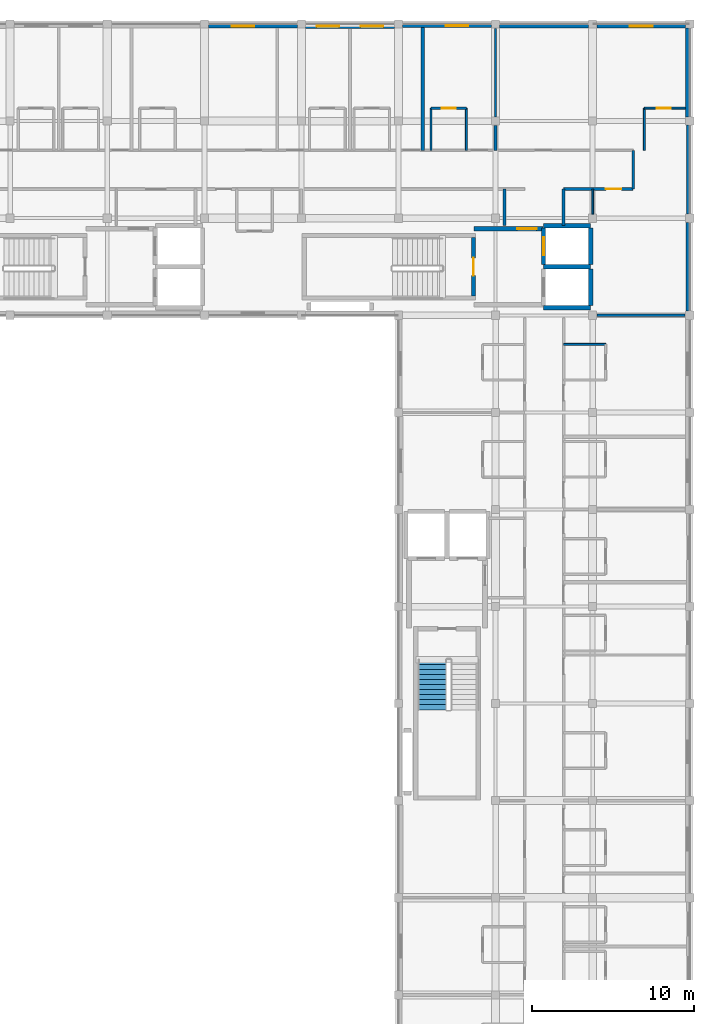
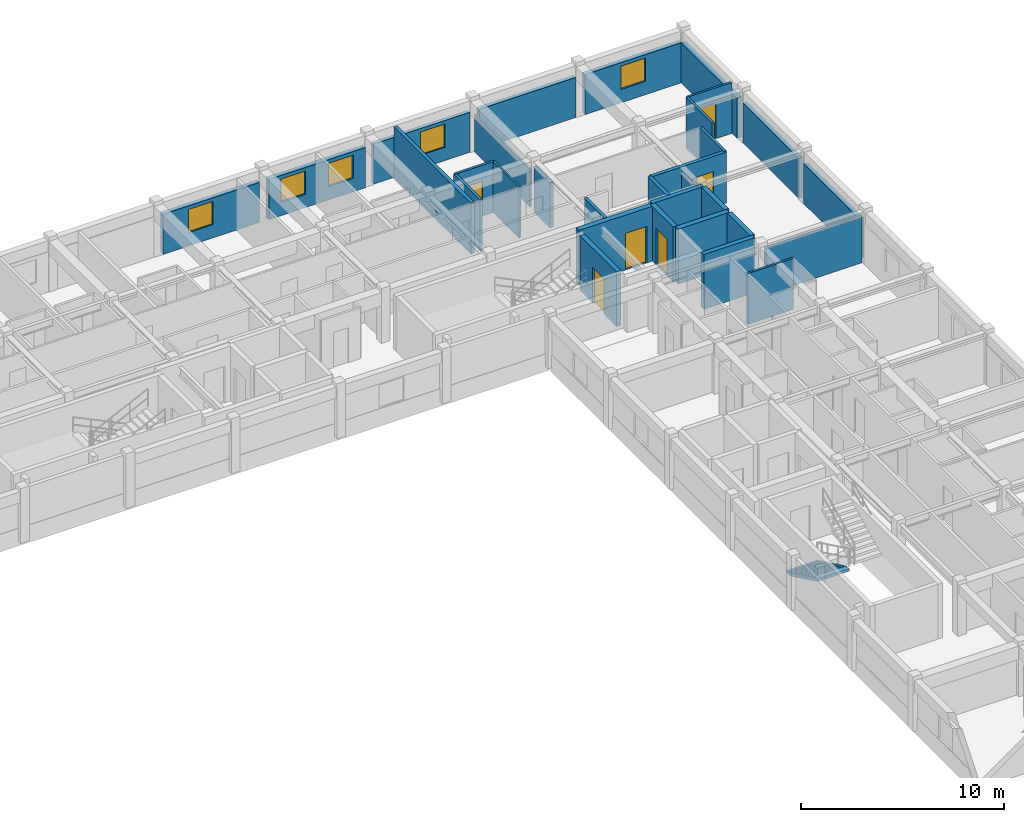
# One storey, part 10 of 15: 31 walls, 6 doors, 5 windows, 1 stair flight, 11 openings, 1 element without a shape of its own.
"""IFC4 building model written with IfcOpenShell, lengths in metres."""

from ifc_helpers import new_model, si_unit, direction, frame, frame_2d, origin, place, context, subcontext, project, spatial, polyline, rectangle, outline, extrude, material, layer, layer_set, type_object, element, fill, aggregate, save


model = new_model("IFC4")

# Units and contexts
model_context = context("Model", 3, precision=1e-05, world=origin(), true_north=direction((0.0, 1.0)))
body_context = subcontext(model_context, "Body", "Model", "MODEL_VIEW")
ifc_project = project(units=[si_unit("LENGTHUNIT", "METRE"), si_unit("AREAUNIT", "SQUARE_METRE"), si_unit("VOLUMEUNIT", "CUBIC_METRE"), si_unit("PLANEANGLEUNIT", "RADIAN"), si_unit("MASSUNIT", "GRAM", prefix="KILO"), si_unit("THERMODYNAMICTEMPERATUREUNIT", "KELVIN"), si_unit("POWERUNIT", "WATT")], contexts=[model_context])

# Site, building, storey
site_placement = place(None, origin())
site = spatial("IfcSite", under=ifc_project, at=site_placement, CompositionType="ELEMENT")
building_placement = place(site_placement, origin())
building = spatial("IfcBuilding", under=site, at=building_placement, Name="Phaisarnlok Congress Hotel", CompositionType="ELEMENT")
storey_placement = place(building_placement, frame((0.0, 0.0, 38.10009765625)))
storey = spatial("IfcBuildingStorey", under=building, at=storey_placement, Name="L09", CompositionType="ELEMENT", Elevation=38.10009765625)

# Wall
ifc_material_1 = material(Name="Concrete C40/50", Category="concrete")
ifc_layer_1 = layer(ifc_material_1, 0.2099609375, Name="Concrete C40/50")
ifc_layer_set_1 = layer_set([ifc_layer_1], Name="Concrete C40/50")
wall_type_1 = type_object("IfcWallType", Name="WL-EXT-210", PredefinedType="SOLIDWALL", material=ifc_layer_set_1)
wall_1_placement = place(storey_placement, frame((179.89501953125, 114.2548828125, 0.0), z_axis=(0.0, 0.0, 1.0), x_axis=(0.0, 1.0, 0.0)))
element("IfcWall", 1, at=wall_1_placement, inside=storey, type_object=wall_type_1, Name="Exterior wall EW-07 (L09)", PredefinedType="SOLIDWALL", context=body_context, shape_type="SweptSolid", body=[
    extrude(rectangle(XDim=5.490234375, YDim=0.2099609375, at=frame_2d((2.7451171875, 0.0))), origin(), (0.0, 0.0, 1.0), 2.409912109375),
])

# Wall, opening, window
wall_2_placement = place(storey_placement, frame((167.7451171875, 125.89501953125, 0.0), z_axis=(0.0, 0.0, 1.0), x_axis=(-1.0, 0.0, 0.0)))
wall_2 = element("IfcWall", 2, at=wall_2_placement, inside=storey, type_object=wall_type_1, Name="Exterior wall EW-07 (L09)", PredefinedType="SOLIDWALL", context=body_context, shape_type="SweptSolid", body=[
    extrude(rectangle(XDim=5.490234375, YDim=0.2099609375, at=frame_2d((2.7451171875, 0.0))), origin(), (0.0, 0.0, 1.0), 2.409912109375),
])
opening_1_placement = place(wall_2_placement, frame((1.431884765625, 0.0, 0.800048828125)))
opening_1 = element("IfcOpeningElement", 3, at=opening_1_placement, cuts=wall_2, Name="Opening W-13", PredefinedType="OPENING", context=body_context, shape_type="SweptSolid", body=[
    extrude(rectangle(XDim=1.39990234375, YDim=1.39990234375, at=frame_2d((0.699951171875, 0.699951171875))), frame((0.0, 0.114990234375, 0.0), z_axis=(0.0, -1.0, 0.0), x_axis=(1.0, 0.0, 0.0)), (0.0, 0.0, 1.0), 0.22998046875),
])
ifc_material_2 = material(Name="Thermally Broken Aluminium & Low-E Double Glazing", Category="aluminium")
window_type = type_object("IfcWindowType", Name="WIN-POD-1400", PartitioningType="SINGLE_PANEL", PredefinedType="WINDOW", material=ifc_material_2)
window_1_placement = place(opening_1_placement, origin())
window_1 = element("IfcWindow", 4, at=window_1_placement, inside=storey, type_object=window_type, Name="Guestroom window W-13 (L09)", OverallHeight=1.39990234375, OverallWidth=1.39990234375, PartitioningType="SINGLE_PANEL", PredefinedType="WINDOW", context=body_context, shape_type="SweptSolid", body=[
    extrude(rectangle(XDim=1.39990234375, YDim=1.39990234375, at=frame_2d((0.699951171875, 0.699951171875))), frame((0.0, 0.030029296875, 0.0), z_axis=(0.0, -1.0, 0.0), x_axis=(1.0, 0.0, 0.0)), (0.0, 0.0, 1.0), 0.06005859375),
])
fill(opening_1, window_1)

# Walls
ifc_layer_2 = layer(ifc_material_1, 0.22998046875, Name="Concrete C40/50")
ifc_layer_set_2 = layer_set([ifc_layer_2], Name="Concrete C40/50")
wall_type_2 = type_object("IfcWallType", Name="WL-EXT-230", PredefinedType="SOLIDWALL", material=ifc_layer_set_2)
for number, where, z_axis, x_axis, name in (
    (5, (179.885009765625, 108.2548828125, 0.0), (0.0, 0.0, 1.0), (0.0, 1.0, 0.0), "Exterior wall EW-06 (L09)"),
    (6, (173.7451171875, 125.885009765625, 0.0), (0.0, 0.0, 1.0), (-1.0, 0.0, 0.0), "Exterior wall EW-06 (L09)"),
):
    element("IfcWall", number, at=place(storey_placement, frame(where, z_axis=z_axis, x_axis=x_axis)), inside=storey, type_object=wall_type_2, Name=name, PredefinedType="SOLIDWALL", context=body_context, shape_type="SweptSolid", body=[
        extrude(rectangle(XDim=5.490234375, YDim=0.22998046875, at=frame_2d((2.7451171875, 0.0))), origin(), (0.0, 0.0, 1.0), 2.409912109375),
    ])

# Wall, opening, window
ifc_layer_3 = layer(ifc_material_1, 0.25, Name="Concrete C40/50")
ifc_layer_set_3 = layer_set([ifc_layer_3], Name="Concrete C40/50")
wall_type_3 = type_object("IfcWallType", Name="WL-EXT-250", PredefinedType="SOLIDWALL", material=ifc_layer_set_3)
wall_3_placement = place(storey_placement, frame((179.7451171875, 125.875, 0.0), z_axis=(0.0, 0.0, 1.0), x_axis=(-1.0, 0.0, 0.0)))
wall_3 = element("IfcWall", 7, at=wall_3_placement, inside=storey, type_object=wall_type_3, Name="Exterior wall EW-05 (L09)", PredefinedType="SOLIDWALL", context=body_context, shape_type="SweptSolid", body=[
    extrude(rectangle(XDim=5.490234375, YDim=0.25, at=frame_2d((2.7451171875, 0.0))), origin(), (0.0, 0.0, 1.0), 2.409912109375),
])
opening_2_placement = place(wall_3_placement, frame((2.044921875, 0.0, 0.800048828125)))
opening_2 = element("IfcOpeningElement", 8, at=opening_2_placement, cuts=wall_3, Name="Opening W-13", PredefinedType="OPENING", context=body_context, shape_type="SweptSolid", body=[
    extrude(rectangle(XDim=1.39990234375, YDim=1.39990234375, at=frame_2d((0.699951171875, 0.699951171875))), frame((0.0, 0.135009765625, 0.0), z_axis=(0.0, -1.0, 0.0), x_axis=(1.0, 0.0, 0.0)), (0.0, 0.0, 1.0), 0.27001953125),
])
window_2_placement = place(opening_2_placement, origin())
window_2 = element("IfcWindow", 9, at=window_2_placement, inside=storey, type_object=window_type, Name="Guestroom window W-13 (L09)", OverallHeight=1.39990234375, OverallWidth=1.39990234375, PartitioningType="SINGLE_PANEL", PredefinedType="WINDOW", context=body_context, shape_type="SweptSolid", body=[
    extrude(rectangle(XDim=1.39990234375, YDim=1.39990234375, at=frame_2d((0.699951171875, 0.699951171875))), frame((0.0, 0.030029296875, 0.0), z_axis=(0.0, -1.0, 0.0), x_axis=(1.0, 0.0, 0.0)), (0.0, 0.0, 1.0), 0.06005859375),
])
fill(opening_2, window_2)

wall_4_placement = place(storey_placement, frame((155.7451171875, 125.875, 0.0), z_axis=(0.0, 0.0, 1.0), x_axis=(-1.0, 0.0, 0.0)))
wall_4 = element("IfcWall", 10, at=wall_4_placement, inside=storey, type_object=wall_type_3, Name="Exterior wall EW-05 (L09)", PredefinedType="SOLIDWALL", context=body_context, shape_type="SweptSolid", body=[
    extrude(rectangle(XDim=5.490234375, YDim=0.25, at=frame_2d((2.7451171875, 0.0))), origin(), (0.0, 0.0, 1.0), 2.409912109375),
])
opening_3_placement = place(wall_4_placement, frame((2.657958984375, 0.0, 0.800048828125)))
opening_3 = element("IfcOpeningElement", 11, at=opening_3_placement, cuts=wall_4, Name="Opening W-13", PredefinedType="OPENING", context=body_context, shape_type="SweptSolid", body=[
    extrude(rectangle(XDim=1.39990234375, YDim=1.39990234375, at=frame_2d((0.699951171875, 0.699951171875))), frame((0.0, 0.135009765625, 0.0), z_axis=(0.0, -1.0, 0.0), x_axis=(1.0, 0.0, 0.0)), (0.0, 0.0, 1.0), 0.27001953125),
])
window_3_placement = place(opening_3_placement, origin())
window_3 = element("IfcWindow", 12, at=window_3_placement, inside=storey, type_object=window_type, Name="Guestroom window W-13 (L09)", OverallHeight=1.39990234375, OverallWidth=1.39990234375, PartitioningType="SINGLE_PANEL", PredefinedType="WINDOW", context=body_context, shape_type="SweptSolid", body=[
    extrude(rectangle(XDim=1.39990234375, YDim=1.39990234375, at=frame_2d((0.699951171875, 0.699951171875))), frame((0.0, 0.030029296875, 0.0), z_axis=(0.0, -1.0, 0.0), x_axis=(1.0, 0.0, 0.0)), (0.0, 0.0, 1.0), 0.06005859375),
])
fill(opening_3, window_3)

# Wall
ifc_layer_4 = layer(ifc_material_1, 0.27001953125, Name="Concrete C40/50")
ifc_layer_set_4 = layer_set([ifc_layer_4], Name="Concrete C40/50")
wall_type_4 = type_object("IfcWallType", Name="WL-EXT-270", PredefinedType="SOLIDWALL", material=ifc_layer_set_4)
wall_5_placement = place(storey_placement, frame((179.864990234375, 120.2548828125, 0.0), z_axis=(0.0, 0.0, 1.0), x_axis=(0.0, 1.0, 0.0)))
element("IfcWall", 13, at=wall_5_placement, inside=storey, type_object=wall_type_4, Name="Exterior wall EW-04 (L09)", PredefinedType="SOLIDWALL", context=body_context, shape_type="SweptSolid", body=[
    extrude(rectangle(XDim=5.490234375, YDim=0.27001953125, at=frame_2d((2.7451171875, 0.0))), origin(), (0.0, 0.0, 1.0), 2.409912109375),
])

# Wall, openings, windows
wall_6_placement = place(storey_placement, frame((161.7451171875, 125.864990234375, 0.0), z_axis=(0.0, 0.0, 1.0), x_axis=(-1.0, 0.0, 0.0)))
wall_6 = element("IfcWall", 14, at=wall_6_placement, inside=storey, type_object=wall_type_4, Name="Exterior wall EW-04 (L09)", PredefinedType="SOLIDWALL", context=body_context, shape_type="SweptSolid", body=[
    extrude(rectangle(XDim=5.490234375, YDim=0.27001953125, at=frame_2d((2.7451171875, 0.0))), origin(), (0.0, 0.0, 1.0), 2.409912109375),
])
opening_4_placement = place(wall_6_placement, frame((3.407958984375, 0.0, 0.800048828125)))
opening_4 = element("IfcOpeningElement", 15, at=opening_4_placement, cuts=wall_6, Name="Opening W-13", PredefinedType="OPENING", context=body_context, shape_type="SweptSolid", body=[
    extrude(rectangle(XDim=1.39990234375, YDim=1.39990234375, at=frame_2d((0.699951171875, 0.699951171875))), frame((0.0, 0.14501953125, 0.0), z_axis=(0.0, -1.0, 0.0), x_axis=(1.0, 0.0, 0.0)), (0.0, 0.0, 1.0), 0.2900390625),
])
opening_5_placement = place(wall_6_placement, frame((0.681884765625, 0.0, 0.800048828125)))
opening_5 = element("IfcOpeningElement", 16, at=opening_5_placement, cuts=wall_6, Name="Opening W-13", PredefinedType="OPENING", context=body_context, shape_type="SweptSolid", body=[
    extrude(rectangle(XDim=1.39990234375, YDim=1.39990234375, at=frame_2d((0.699951171875, 0.699951171875))), frame((0.0, 0.14501953125, 0.0), z_axis=(0.0, -1.0, 0.0), x_axis=(1.0, 0.0, 0.0)), (0.0, 0.0, 1.0), 0.2900390625),
])
window_4_placement = place(opening_4_placement, origin())
window_4 = element("IfcWindow", 17, at=window_4_placement, inside=storey, type_object=window_type, Name="Guestroom window W-13 (L09)", OverallHeight=1.39990234375, OverallWidth=1.39990234375, PartitioningType="SINGLE_PANEL", PredefinedType="WINDOW", context=body_context, shape_type="SweptSolid", body=[
    extrude(rectangle(XDim=1.39990234375, YDim=1.39990234375, at=frame_2d((0.699951171875, 0.699951171875))), frame((0.0, 0.030029296875, 0.0), z_axis=(0.0, -1.0, 0.0), x_axis=(1.0, 0.0, 0.0)), (0.0, 0.0, 1.0), 0.06005859375),
])
fill(opening_4, window_4)
window_5_placement = place(opening_5_placement, origin())
window_5 = element("IfcWindow", 18, at=window_5_placement, inside=storey, type_object=window_type, Name="Guestroom window W-13 (L09)", OverallHeight=1.39990234375, OverallWidth=1.39990234375, PartitioningType="SINGLE_PANEL", PredefinedType="WINDOW", context=body_context, shape_type="SweptSolid", body=[
    extrude(rectangle(XDim=1.39990234375, YDim=1.39990234375, at=frame_2d((0.699951171875, 0.699951171875))), frame((0.0, 0.030029296875, 0.0), z_axis=(0.0, -1.0, 0.0), x_axis=(1.0, 0.0, 0.0)), (0.0, 0.0, 1.0), 0.06005859375),
])
fill(opening_5, window_5)

# Walls
ifc_material_3 = material(Name="Service Riser Shaftwall Partition", Category="gypsum")
ifc_layer_5 = layer(ifc_material_3, 0.10498046875, Name="Service Riser Shaftwall Partition")
ifc_layer_set_5 = layer_set([ifc_layer_5], Name="Service Riser Shaftwall Partition")
wall_type_5 = type_object("IfcWallType", Name="WL-INT-105", PredefinedType="PARTITIONING", material=ifc_layer_set_5)
wall_7_placement = place(storey_placement, frame((168.0, 120.2548828125, 0.0), z_axis=(0.0, 0.0, 1.0), x_axis=(0.0, 1.0, 0.0)))
element("IfcWall", 19, at=wall_7_placement, inside=storey, type_object=wall_type_5, Name="Interior partition wall IW-08 (L09)", PredefinedType="PARTITIONING", context=body_context, shape_type="SweptSolid", body=[
    extrude(rectangle(XDim=5.465087890625, YDim=0.10498046875, at=frame_2d((2.732421875, 0.0))), origin(), (0.0, 0.0, 1.0), 2.260009765625),
])
wall_8_placement = place(storey_placement, frame((174.0, 114.2548828125, 0.0), z_axis=(0.0, 0.0, 1.0), x_axis=(0.0, 1.0, 0.0)))
element("IfcWall", 20, at=wall_8_placement, inside=storey, type_object=wall_type_5, Name="Interior partition wall IW-08 (L09)", PredefinedType="PARTITIONING", context=body_context, shape_type="SweptSolid", body=[
    extrude(rectangle(XDim=1.545166015625, YDim=0.10498046875, at=frame_2d((0.7724609375, 0.0))), origin(), (0.0, 0.0, 1.0), 2.719970703125),
])
ifc_material_4 = material(Name="Lightweight Metal-Stud Gypsum Partition", Category="gypsum")
ifc_layer_6 = layer(ifc_material_4, 0.1201171875, Name="Lightweight Metal-Stud Gypsum Partition")
ifc_layer_set_6 = layer_set([ifc_layer_6], Name="Lightweight Metal-Stud Gypsum Partition")
wall_type_6 = type_object("IfcWallType", Name="WL-INT-120", PredefinedType="PARTITIONING", material=ifc_layer_set_6)
for number, where, z_axis, x_axis, name in (
    (21, (166.199951171875, 118.199951171875, 0.0), (0.0, 0.0, 1.0), (0.0, 1.0, 0.0), "Interior partition wall IW-07 (L09)"),
    (22, (177.199951171875, 118.199951171875, 0.0), (0.0, 0.0, 1.0), (0.0, 1.0, 0.0), "Interior partition wall IW-07 (L09)"),
    (23, (172.199951171875, 106.199951171875, 0.0), (0.0, 0.0, 1.0), (1.0, 0.0, 0.0), "Interior partition wall IW-07 (L09)"),
):
    element("IfcWall", number, at=place(storey_placement, frame(where, z_axis=z_axis, x_axis=x_axis)), inside=storey, type_object=wall_type_6, Name=name, PredefinedType="PARTITIONING", context=body_context, shape_type="SweptSolid", body=[
        extrude(rectangle(XDim=2.60009765625, YDim=0.1201171875, at=frame_2d((1.300048828125, 0.0))), origin(), (0.0, 0.0, 1.0), 3.059814453125),
    ])

# Wall, opening, door
wall_9_placement = place(storey_placement, frame((177.199951171875, 120.800048828125, 0.0), z_axis=(0.0, 0.0, 1.0), x_axis=(1.0, 0.0, 0.0)))
wall_9 = element("IfcWall", 24, at=wall_9_placement, inside=storey, type_object=wall_type_6, Name="Interior partition wall IW-07 (L09)", PredefinedType="PARTITIONING", context=body_context, shape_type="SweptSolid", body=[
    extrude(rectangle(XDim=2.525146484375, YDim=0.1201171875, at=frame_2d((1.2626953125, 0.0))), origin(), (0.0, 0.0, 1.0), 3.059814453125),
])
opening_6_placement = place(wall_9_placement, frame((0.77490234375, 0.0, 0.0)))
opening_6 = element("IfcOpeningElement", 25, at=opening_6_placement, cuts=wall_9, Name="Opening D-0512", PredefinedType="OPENING", context=body_context, shape_type="SweptSolid", body=[
    extrude(rectangle(XDim=0.85009765625, YDim=2.10009765625, at=frame_2d((0.425048828125, 1.050048828125))), frame((0.0, 0.070068359375, 0.0), z_axis=(0.0, -1.0, 0.0), x_axis=(1.0, 0.0, 0.0)), (0.0, 0.0, 1.0), 0.14013671875),
])
ifc_material_5 = material(Name="Moisture-Resistant Lacquered Timber", Category="wood")
door_type_1 = type_object("IfcDoorType", Name="DR-BATH-850", OperationType="NOTDEFINED", PredefinedType="DOOR", material=ifc_material_5)
door_1_placement = place(opening_6_placement, origin())
door_1 = element("IfcDoor", 26, at=door_1_placement, inside=storey, type_object=door_type_1, Name="Interior door D-0512 (L09)", OperationType="SINGLE_SWING_LEFT", OverallHeight=2.10009765625, OverallWidth=0.85009765625, PredefinedType="DOOR", context=body_context, shape_type="SweptSolid", body=[
    extrude(rectangle(XDim=0.85009765625, YDim=2.10009765625, at=frame_2d((0.425048828125, 1.050048828125))), frame((0.0, 0.02490234375, 0.0), z_axis=(0.0, -1.0, 0.0), x_axis=(1.0, 0.0, 0.0)), (0.0, 0.0, 1.0), 0.050048828125),
])
fill(opening_6, door_1)

# Wall
ifc_material_6 = material(Name="Moisture-Resistant Gypsum Partition", Category="gypsum")
ifc_layer_7 = layer(ifc_material_6, 0.135009765625, Name="Moisture-Resistant Gypsum Partition")
ifc_layer_set_7 = layer_set([ifc_layer_7], Name="Moisture-Resistant Gypsum Partition")
wall_type_7 = type_object("IfcWallType", Name="WL-INT-135", PredefinedType="PARTITIONING", material=ifc_layer_set_7)
wall_10_placement = place(storey_placement, frame((164.0, 118.199951171875, 0.0), z_axis=(0.0, 0.0, 1.0), x_axis=(0.0, 1.0, 0.0)))
element("IfcWall", 27, at=wall_10_placement, inside=storey, type_object=wall_type_7, Name="Interior partition wall IW-06 (L09)", PredefinedType="PARTITIONING", context=body_context, shape_type="SweptSolid", body=[
    extrude(rectangle(XDim=2.60009765625, YDim=0.135009765625, at=frame_2d((1.300048828125, 0.0))), origin(), (0.0, 0.0, 1.0), 3.059814453125),
])

# Wall, opening, door
wall_11_placement = place(storey_placement, frame((164.0, 120.800048828125, 0.0), z_axis=(0.0, 0.0, 1.0), x_axis=(1.0, 0.0, 0.0)))
wall_11 = element("IfcWall", 28, at=wall_11_placement, inside=storey, type_object=wall_type_7, Name="Interior partition wall IW-06 (L09)", PredefinedType="PARTITIONING", context=body_context, shape_type="SweptSolid", body=[
    extrude(rectangle(XDim=2.199951171875, YDim=0.135009765625, at=frame_2d((1.10009765625, 0.0))), origin(), (0.0, 0.0, 1.0), 3.059814453125),
])
opening_7_placement = place(wall_11_placement, frame((0.675048828125, 0.0, 0.0)))
opening_7 = element("IfcOpeningElement", 29, at=opening_7_placement, cuts=wall_11, Name="Opening D-0510", PredefinedType="OPENING", context=body_context, shape_type="SweptSolid", body=[
    extrude(rectangle(XDim=0.85009765625, YDim=2.10009765625, at=frame_2d((0.425048828125, 1.050048828125))), frame((0.0, 0.07763671875, 0.0), z_axis=(0.0, -1.0, 0.0), x_axis=(1.0, 0.0, 0.0)), (0.0, 0.0, 1.0), 0.155029296875),
])
door_2_placement = place(opening_7_placement, origin())
door_2 = element("IfcDoor", 30, at=door_2_placement, inside=storey, type_object=door_type_1, Name="Interior door D-0510 (L09)", OperationType="SINGLE_SWING_LEFT", OverallHeight=2.10009765625, OverallWidth=0.85009765625, PredefinedType="DOOR", context=body_context, shape_type="SweptSolid", body=[
    extrude(rectangle(XDim=0.85009765625, YDim=2.10009765625, at=frame_2d((0.425048828125, 1.050048828125))), frame((0.0, 0.02490234375, 0.0), z_axis=(0.0, -1.0, 0.0), x_axis=(1.0, 0.0, 0.0)), (0.0, 0.0, 1.0), 0.050048828125),
])
fill(opening_7, door_2)

# Walls
ifc_material_7 = material(Name="Acoustic Gypsum Board & Mineral Wool", Category="gypsum")
ifc_layer_8 = layer(ifc_material_7, 0.14990234375, Name="Acoustic Gypsum Board & Mineral Wool")
ifc_layer_set_8 = layer_set([ifc_layer_8], Name="Acoustic Gypsum Board & Mineral Wool")
wall_type_8 = type_object("IfcWallType", Name="WL-INT-150", PredefinedType="PARTITIONING", material=ifc_layer_set_8)
wall_12_placement = place(storey_placement, frame((176.5, 115.800048828125, 0.0), z_axis=(0.0, 0.0, 1.0), x_axis=(0.0, 1.0, 0.0)))
element("IfcWall", 31, at=wall_12_placement, inside=storey, type_object=wall_type_8, Name="Interior partition wall IW-05 (L09)", PredefinedType="PARTITIONING", context=body_context, shape_type="SweptSolid", body=[
    extrude(rectangle(XDim=2.39990234375, YDim=0.14990234375, at=frame_2d((1.199951171875, 0.0))), origin(), (0.0, 0.0, 1.0), 3.059814453125),
])
ifc_material_8 = material(Name="Autoclaved Aerated Concrete Block", Category="concrete")
ifc_layer_9 = layer(ifc_material_8, 0.179931640625, Name="Autoclaved Aerated Concrete Block")
ifc_layer_set_9 = layer_set([ifc_layer_9], Name="Autoclaved Aerated Concrete Block")
wall_type_9 = type_object("IfcWallType", Name="WL-INT-180", PredefinedType="PARTITIONING", material=ifc_layer_set_9)
wall_13_placement = place(storey_placement, frame((168.550048828125, 113.56005859375, 0.0), z_axis=(0.0, 0.0, 1.0), x_axis=(0.0, 1.0, 0.0)))
element("IfcWall", 32, at=wall_13_placement, inside=storey, type_object=wall_type_9, Name="Interior partition wall IW-03 (L09)", PredefinedType="PARTITIONING", context=body_context, shape_type="SweptSolid", body=[
    extrude(rectangle(XDim=2.239990234375, YDim=0.179931640625, at=frame_2d((1.1201171875, 0.0))), origin(), (0.0, 0.0, 1.0), 3.059814453125),
])
wall_14_placement = place(storey_placement, frame((174.2548828125, 108.0, 0.0), z_axis=(0.0, 0.0, 1.0), x_axis=(1.0, 0.0, 0.0)))
element("IfcWall", 33, at=wall_14_placement, inside=storey, type_object=wall_type_9, Name="Interior partition wall IW-03 (L09)", PredefinedType="PARTITIONING", context=body_context, shape_type="SweptSolid", body=[
    extrude(rectangle(XDim=5.465087890625, YDim=0.179931640625, at=frame_2d((2.732421875, 0.0))), origin(), (0.0, 0.0, 1.0), 2.77001953125),
])
ifc_layer_10 = layer(ifc_material_8, 0.199951171875, Name="Autoclaved Aerated Concrete Block")
ifc_layer_set_10 = layer_set([ifc_layer_10], Name="Autoclaved Aerated Concrete Block")
wall_type_10 = type_object("IfcWallType", Name="WL-INT-200", PredefinedType="PARTITIONING", material=ifc_layer_set_10)
wall_15_placement = place(storey_placement, frame((163.5, 118.199951171875, 0.0), z_axis=(0.0, 0.0, 1.0), x_axis=(0.0, 1.0, 0.0)))
element("IfcWall", 34, at=wall_15_placement, inside=storey, type_object=wall_type_10, Name="Interior partition wall IW-02 (L09)", PredefinedType="PARTITIONING", context=body_context, shape_type="SweptSolid", body=[
    extrude(rectangle(XDim=7.5849609375, YDim=0.199951171875, at=frame_2d((3.79248046875, 0.0))), origin(), (0.0, 0.0, 1.0), 3.059814453125),
])
wall_16_placement = place(storey_placement, frame((168.0, 118.199951171875, 0.0), z_axis=(0.0, 0.0, 1.0), x_axis=(0.0, 1.0, 0.0)))
element("IfcWall", 35, at=wall_16_placement, inside=storey, type_object=wall_type_10, Name="Interior partition wall IW-02 (L09)", PredefinedType="PARTITIONING", context=body_context, shape_type="SweptSolid", body=[
    extrude(rectangle(XDim=1.545166015625, YDim=0.199951171875, at=frame_2d((0.7724609375, 0.0))), origin(), (0.0, 0.0, 1.0), 2.719970703125),
])
wall_17_placement = place(storey_placement, frame((172.199951171875, 113.56005859375, 0.0), z_axis=(0.0, 0.0, 1.0), x_axis=(0.0, 1.0, 0.0)))
element("IfcWall", 36, at=wall_17_placement, inside=storey, type_object=wall_type_10, Name="Interior partition wall IW-02 (L09)", PredefinedType="PARTITIONING", context=body_context, shape_type="SweptSolid", body=[
    extrude(rectangle(XDim=2.239990234375, YDim=0.199951171875, at=frame_2d((1.1201171875, 0.0))), origin(), (0.0, 0.0, 1.0), 3.059814453125),
])

# Wall, opening, door
wall_18_placement = place(storey_placement, frame((172.199951171875, 115.800048828125, 0.0), z_axis=(0.0, 0.0, 1.0), x_axis=(1.0, 0.0, 0.0)))
wall_18 = element("IfcWall", 37, at=wall_18_placement, inside=storey, type_object=wall_type_10, Name="Interior partition wall IW-02 (L09)", PredefinedType="PARTITIONING", context=body_context, shape_type="SweptSolid", body=[
    extrude(rectangle(XDim=4.300048828125, YDim=0.199951171875, at=frame_2d((2.14990234375, 0.0))), origin(), (0.0, 0.0, 1.0), 3.059814453125),
])
opening_8_placement = place(wall_18_placement, frame((2.6201171875, 0.0, 0.0)))
opening_8 = element("IfcOpeningElement", 38, at=opening_8_placement, cuts=wall_18, Name="Opening D-0540", PredefinedType="OPENING", context=body_context, shape_type="SweptSolid", body=[
    extrude(rectangle(XDim=0.9599609375, YDim=2.14990234375, at=frame_2d((0.47998046875, 1.074951171875))), frame((0.0, 0.10986328125, 0.0), z_axis=(0.0, -1.0, 0.0), x_axis=(1.0, 0.0, 0.0)), (0.0, 0.0, 1.0), 0.219970703125),
])
ifc_material_9 = material(Name="Fire-Rated Steel Frame & Timber Leaf", Category="steel")
door_type_2 = type_object("IfcDoorType", Name="DR-FD60-950", OperationType="NOTDEFINED", PredefinedType="DOOR", material=ifc_material_9)
door_3_placement = place(opening_8_placement, origin())
door_3 = element("IfcDoor", 39, at=door_3_placement, inside=storey, type_object=door_type_2, Name="Interior door D-0540 (L09)", OperationType="SINGLE_SWING_LEFT", OverallHeight=2.14990234375, OverallWidth=0.9599609375, PredefinedType="DOOR", context=body_context, shape_type="SweptSolid", body=[
    extrude(rectangle(XDim=0.9599609375, YDim=2.14990234375, at=frame_2d((0.47998046875, 1.074951171875))), frame((0.0, 0.02490234375, 0.0), z_axis=(0.0, -1.0, 0.0), x_axis=(1.0, 0.0, 0.0)), (0.0, 0.0, 1.0), 0.050048828125),
])
fill(opening_8, door_3)

ifc_material_10 = material(Name="Concrete C50/60", Category="concrete")
ifc_layer_11 = layer(ifc_material_10, 0.260009765625, Name="Concrete C50/60")
ifc_layer_set_11 = layer_set([ifc_layer_11], Name="Concrete C50/60")
wall_type_11 = type_object("IfcWallType", Name="WL-SHR-260", PredefinedType="SHEAR", material=ifc_layer_set_11)
wall_19_placement = place(storey_placement, frame((166.6298828125, 109.199951171875, 0.0), z_axis=(0.0, 0.0, 1.0), x_axis=(0.0, 1.0, 0.0)))
wall_19 = element("IfcWall", 40, at=wall_19_placement, inside=storey, type_object=wall_type_11, Name="Stair shaft shear wall SW-04 (CORE-1 L09)", PredefinedType="SHEAR", context=body_context, shape_type="SweptSolid", body=[
    extrude(rectangle(XDim=3.60009765625, YDim=0.260009765625, at=frame_2d((1.800048828125, 0.0))), origin(), (0.0, 0.0, 1.0), 3.2998046875),
])
opening_9_placement = place(wall_19_placement, frame((1.25, 0.0, 0.0)))
opening_9 = element("IfcOpeningElement", 41, at=opening_9_placement, cuts=wall_19, Name="Opening FD-011", PredefinedType="OPENING", context=body_context, shape_type="SweptSolid", body=[
    extrude(rectangle(XDim=1.10009765625, YDim=2.14990234375, at=frame_2d((0.550048828125, 1.074951171875))), frame((0.0, 0.14013671875, 0.0), z_axis=(0.0, -1.0, 0.0), x_axis=(1.0, 0.0, 0.0)), (0.0, 0.0, 1.0), 0.280029296875),
])
door_type_3 = type_object("IfcDoorType", Name="DR-FD60-1100", OperationType="NOTDEFINED", PredefinedType="DOOR", material=ifc_material_9)
door_4_placement = place(opening_9_placement, origin())
door_4 = element("IfcDoor", 42, at=door_4_placement, inside=storey, type_object=door_type_3, Name="Stair enclosure fire door FD-011 (L09)", OperationType="SINGLE_SWING_RIGHT", OverallHeight=2.14990234375, OverallWidth=1.10009765625, PredefinedType="DOOR", context=body_context, shape_type="SweptSolid", body=[
    extrude(rectangle(XDim=1.10009765625, YDim=2.14990234375, at=frame_2d((0.550048828125, 1.074951171875))), frame((0.0, 0.02490234375, 0.0), z_axis=(0.0, -1.0, 0.0), x_axis=(1.0, 0.0, 0.0)), (0.0, 0.0, 1.0), 0.050048828125),
])
fill(opening_9, door_4)

# Walls
wall_20_placement = place(storey_placement, frame((170.969970703125, 108.469970703125, 0.0), z_axis=(0.0, 0.0, 1.0), x_axis=(1.0, 0.0, 0.0)))
element("IfcWall", 43, at=wall_20_placement, inside=storey, type_object=wall_type_11, Name="Lift shaft shear wall SW-04 (LF-FF1 L09)", PredefinedType="SHEAR", context=body_context, shape_type="SweptSolid", body=[
    extrude(rectangle(XDim=2.909912109375, YDim=0.260009765625, at=frame_2d((1.455078125, 0.0))), origin(), (0.0, 0.0, 1.0), 3.2998046875),
])
wall_21_placement = place(storey_placement, frame((173.8798828125, 108.60009765625, 0.0), z_axis=(0.0, 0.0, 1.0), x_axis=(0.0, 1.0, 0.0)))
element("IfcWall", 44, at=wall_21_placement, inside=storey, type_object=wall_type_11, Name="Lift shaft shear wall SW-04 (LF-FF1 L09)", PredefinedType="SHEAR", context=body_context, shape_type="SweptSolid", body=[
    extrude(rectangle(XDim=2.25, YDim=0.260009765625, at=frame_2d((1.125, 0.0))), origin(), (0.0, 0.0, 1.0), 3.2998046875),
])
wall_22_placement = place(storey_placement, frame((170.969970703125, 113.530029296875, 0.0), z_axis=(0.0, 0.0, 1.0), x_axis=(1.0, 0.0, 0.0)))
element("IfcWall", 45, at=wall_22_placement, inside=storey, type_object=wall_type_11, Name="Lift shaft shear wall SW-04 (LF-HP1 L09)", PredefinedType="SHEAR", context=body_context, shape_type="SweptSolid", body=[
    extrude(rectangle(XDim=2.909912109375, YDim=0.260009765625, at=frame_2d((1.455078125, 0.0))), origin(), (0.0, 0.0, 1.0), 3.2998046875),
])
wall_23_placement = place(storey_placement, frame((173.8798828125, 111.14990234375, 0.0), z_axis=(0.0, 0.0, 1.0), x_axis=(0.0, 1.0, 0.0)))
element("IfcWall", 46, at=wall_23_placement, inside=storey, type_object=wall_type_11, Name="Lift shaft shear wall SW-04 (LF-HP1 L09)", PredefinedType="SHEAR", context=body_context, shape_type="SweptSolid", body=[
    extrude(rectangle(XDim=2.25, YDim=0.260009765625, at=frame_2d((1.125, 0.0))), origin(), (0.0, 0.0, 1.0), 3.2998046875),
])

# Wall, opening, door
wall_24_placement = place(storey_placement, frame((170.969970703125, 111.14990234375, 0.0), z_axis=(0.0, 0.0, 1.0), x_axis=(0.0, 1.0, 0.0)))
wall_24 = element("IfcWall", 47, at=wall_24_placement, inside=storey, type_object=wall_type_11, Name="Lift shaft front wall SW-04 (LF-HP1 L09)", PredefinedType="SHEAR", context=body_context, shape_type="SweptSolid", body=[
    extrude(rectangle(XDim=2.25, YDim=0.260009765625, at=frame_2d((1.125, 0.0))), origin(), (0.0, 0.0, 1.0), 3.2998046875),
])
opening_10_placement = place(wall_24_placement, frame((0.574951171875, 0.0, 0.0)))
opening_10 = element("IfcOpeningElement", 48, at=opening_10_placement, cuts=wall_24, Name="Opening LD-026", PredefinedType="OPENING", context=body_context, shape_type="SweptSolid", body=[
    extrude(rectangle(XDim=1.10009765625, YDim=2.199951171875, at=frame_2d((0.550048828125, 1.10009765625))), frame((0.0, 0.14013671875, 0.0), z_axis=(0.0, -1.0, 0.0), x_axis=(1.0, 0.0, 0.0)), (0.0, 0.0, 1.0), 0.280029296875),
])
ifc_material_11 = material(Name="Brushed Stainless Steel Grade 304", Category="steel")
door_type_4 = type_object("IfcDoorType", Name="DR-LD-1100", OperationType="DOUBLE_DOOR_SLIDING", PredefinedType="DOOR", material=ifc_material_11)
door_5_placement = place(opening_10_placement, origin())
door_5 = element("IfcDoor", 49, at=door_5_placement, inside=storey, type_object=door_type_4, Name="Lift landing sliding door LD-026 (LF-HP1 L09)", OperationType="DOUBLE_DOOR_SLIDING", OverallHeight=2.199951171875, OverallWidth=1.10009765625, PredefinedType="DOOR", context=body_context, shape_type="SweptSolid", body=[
    extrude(rectangle(XDim=1.10009765625, YDim=2.199951171875, at=frame_2d((0.550048828125, 1.10009765625))), frame((0.0, 0.02490234375, 0.0), z_axis=(0.0, -1.0, 0.0), x_axis=(1.0, 0.0, 0.0)), (0.0, 0.0, 1.0), 0.050048828125),
])
fill(opening_10, door_5)

# Wall
ifc_layer_12 = layer(ifc_material_10, 0.300048828125, Name="Concrete C50/60")
ifc_layer_set_12 = layer_set([ifc_layer_12], Name="Concrete C50/60")
wall_type_12 = type_object("IfcWallType", Name="WL-SHR-300", PredefinedType="SHEAR", material=ifc_layer_set_12)
wall_25_placement = place(storey_placement, frame((170.969970703125, 111.0, 0.0), z_axis=(0.0, 0.0, 1.0), x_axis=(1.0, 0.0, 0.0)))
element("IfcWall", 50, at=wall_25_placement, inside=storey, type_object=wall_type_12, Name="Lift shaft divider shear wall SW-03 (LF-FF1 L09)", PredefinedType="SHEAR", context=body_context, shape_type="SweptSolid", body=[
    extrude(rectangle(XDim=2.909912109375, YDim=0.300048828125, at=frame_2d((1.455078125, 0.0))), origin(), (0.0, 0.0, 1.0), 3.2998046875),
])

# Wall, opening, door
wall_26_placement = place(storey_placement, frame((166.679931640625, 113.35009765625, 0.0), z_axis=(0.0, 0.0, 1.0), x_axis=(1.0, 0.0, 0.0)))
wall_26 = element("IfcWall", 51, at=wall_26_placement, inside=storey, type_object=wall_type_12, Name="Core lobby EI-120 wall SW-03 (CORE-1 L09)", PredefinedType="SHEAR", context=body_context, shape_type="SweptSolid", body=[
    extrude(rectangle(XDim=4.239990234375, YDim=0.300048828125, at=frame_2d((2.1201171875, 0.0))), origin(), (0.0, 0.0, 1.0), 3.2998046875),
])
opening_11_placement = place(wall_26_placement, frame((2.64990234375, 0.0, 0.0)))
opening_11 = element("IfcOpeningElement", 52, at=opening_11_placement, cuts=wall_26, Name="Opening FD-026", PredefinedType="OPENING", context=body_context, shape_type="SweptSolid", body=[
    extrude(rectangle(XDim=1.199951171875, YDim=2.199951171875, at=frame_2d((0.60009765625, 1.10009765625))), frame((0.0, 0.16015625, 0.0), z_axis=(0.0, -1.0, 0.0), x_axis=(1.0, 0.0, 0.0)), (0.0, 0.0, 1.0), 0.320068359375),
])
door_type_5 = type_object("IfcDoorType", Name="DR-FD60-1200", OperationType="NOTDEFINED", PredefinedType="DOOR", material=ifc_material_9)
door_6_placement = place(opening_11_placement, origin())
door_6 = element("IfcDoor", 53, at=door_6_placement, inside=storey, type_object=door_type_5, Name="Firefighting lobby entrance door FD-026 (CORE-1 L09)", OperationType="SINGLE_SWING_LEFT", OverallHeight=2.199951171875, OverallWidth=1.199951171875, PredefinedType="DOOR", context=body_context, shape_type="SweptSolid", body=[
    extrude(rectangle(XDim=1.199951171875, YDim=2.199951171875, at=frame_2d((0.60009765625, 1.10009765625))), frame((0.0, 0.02490234375, 0.0), z_axis=(0.0, -1.0, 0.0), x_axis=(1.0, 0.0, 0.0)), (0.0, 0.0, 1.0), 0.050048828125),
])
fill(opening_11, door_6)

# Stair, stair flight
stair_type = type_object("IfcStairType", Name="STR-DOG-05", PredefinedType="HALF_TURN_STAIR", material=ifc_material_1)
stair_placement = place(storey_placement, origin())
stair = element("IfcStair", 54, at=stair_placement, inside=storey, type_object=stair_type, Name="L09 ST-09", PredefinedType="HALF_TURN_STAIR")
stair_flight_type = type_object("IfcStairFlightType", Name="SFL-RC-05", PredefinedType="STRAIGHT", material=ifc_material_1)
stair_flight_placement = place(storey_placement, frame((164.090087890625, 86.719970703125, 0.0), z_axis=(0.0, 0.0, 1.0), x_axis=(0.0, -1.0, 0.0)))
stair_flight = element("IfcStairFlight", 55, at=stair_flight_placement, type_object=stair_flight_type, Name="ST-09 flight 1", NumberOfRisers=11, NumberOfTreads=10, PredefinedType="STRAIGHT", RiserHeight=0.15, TreadLength=0.31, context=body_context, shape_type="SweptSolid", body=[
    extrude(outline(polyline([(0.0, 0.0), (0.0, 0.14990234375), (0.31005859375, 0.14990234375), (0.31005859375, 0.300048828125), (0.6201171875, 0.300048828125), (0.6201171875, 0.449951171875), (0.929931640625, 0.449951171875), (0.929931640625, 0.60009765625), (1.239990234375, 0.60009765625), (1.239990234375, 0.75), (1.550048828125, 0.75), (1.550048828125, 0.89990234375), (1.860107421875, 0.89990234375), (1.860107421875, 1.050048828125), (2.169921875, 1.050048828125), (2.169921875, 1.199951171875), (2.47998046875, 1.199951171875), (2.47998046875, 1.35009765625), (2.7900390625, 1.35009765625), (2.7900390625, 1.5), (3.10009765625, 1.5), (3.10009765625, 1.64990234375), (3.10009765625, 1.33349609375), (0.34423828125, 0.0), (0.0, 0.0)])), frame((0.0, 0.89013671875, 0.0), z_axis=(0.0, -1.0, 0.0), x_axis=(1.0, 0.0, 0.0)), (0.0, 0.0, 1.0), 1.780029296875),
])
aggregate(stair, [stair_flight])

save(model, "model.ifc")
